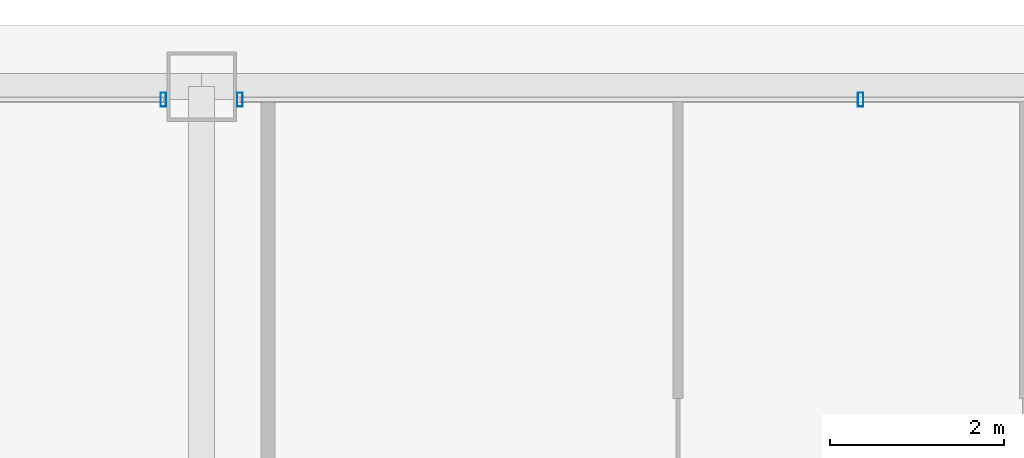
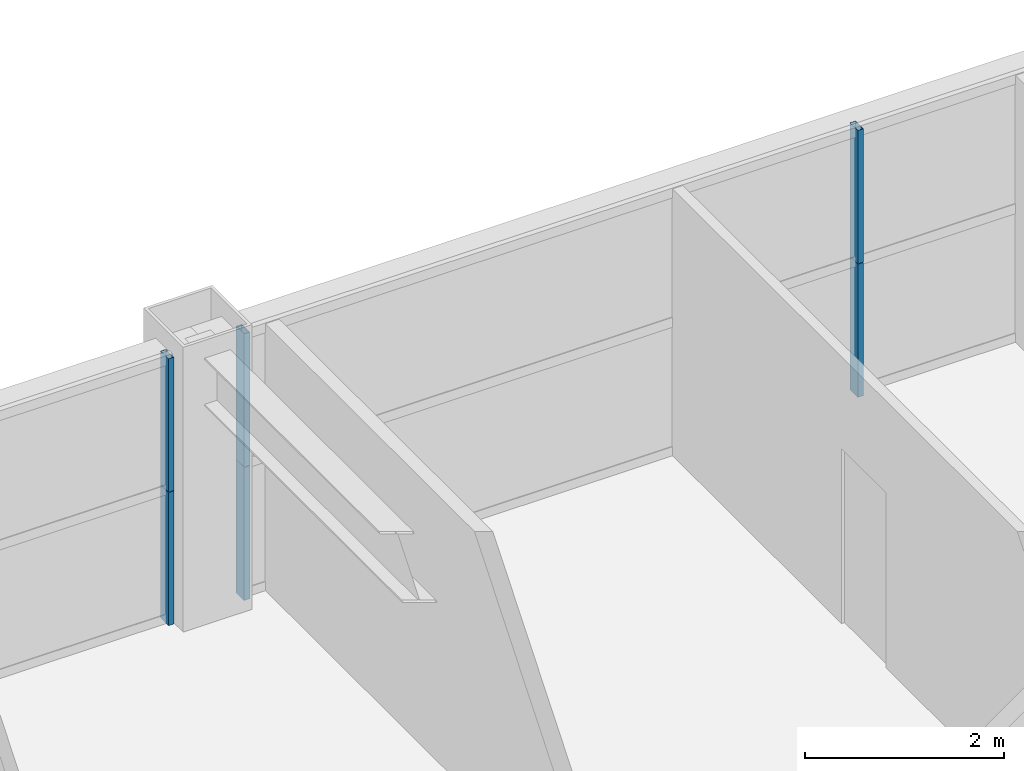
# One storey, part 35 of 45: 6 members, 2 elements without a shape of their own.
"""IFC4 building model written with IfcOpenShell, lengths in metres."""

from ifc_helpers import new_model, si_unit, direction, frame, origin, origin_2d, place, context, subcontext, project, spatial, hollow_rectangle, extrude, source, transform, mapped, material, layer, layer_set, material_profile, profile_set, type_object, element, aggregate, save


model = new_model("IFC4")

# Units and contexts
model_context = context("Model", 3, precision=1e-05, world=origin(), true_north=direction((0.0, 1.0)))
body_context = subcontext(model_context, "Body", "Model", "MODEL_VIEW")
ifc_project = project(units=[si_unit("LENGTHUNIT", "METRE"), si_unit("AREAUNIT", "SQUARE_METRE"), si_unit("VOLUMEUNIT", "CUBIC_METRE"), si_unit("PLANEANGLEUNIT", "RADIAN"), si_unit("MASSUNIT", "GRAM", prefix="KILO"), si_unit("THERMODYNAMICTEMPERATUREUNIT", "KELVIN"), si_unit("POWERUNIT", "WATT")], contexts=[model_context])

# Site, building, storey
site_placement = place(None, origin())
site = spatial("IfcSite", under=ifc_project, at=site_placement, CompositionType="ELEMENT")
building_placement = place(site_placement, origin())
building = spatial("IfcBuilding", under=site, at=building_placement, Name="Yuzanri Waterfront Tower", CompositionType="ELEMENT")
storey_placement = place(building_placement, frame((0.0, 0.0, 191.5)))
storey = spatial("IfcBuildingStorey", under=building, at=storey_placement, Name="L50", CompositionType="ELEMENT", Elevation=191.5)

# Curtain wall, members
ifc_material_1 = material(Name="Anodized Architectural Bronze", Category="metal")
ifc_layer = layer(ifc_material_1, 0.159912109375)
ifc_layer_set = layer_set([ifc_layer], Name="Anodized Architectural Bronze")
curtain_wall_type = type_object("IfcCurtainWallType", Name="Anodized Bronze Mid-Rise Residential Acoustic Unitized Curtain Wall 7200", PredefinedType="NOTDEFINED", material=ifc_layer_set)
curtain_wall_1_placement = place(storey_placement, origin())
curtain_wall_1 = element("IfcCurtainWall", 1, at=curtain_wall_1_placement, inside=storey, type_object=curtain_wall_type, Name="L50 Curtain Wall CW-L50-NL", PredefinedType="NOTDEFINED")
ifc_material_2 = material(Name="Anodized Architectural Bronze", Category="metal")
ifc_material_profile = material_profile(ifc_material_2, hollow_rectangle(XDim=0.06494140625, YDim=0.159912109375, WallThickness=0.00341796875, at=origin_2d()), Name="CWM 65x160")
ifc_profile_set = profile_set([ifc_material_profile], Name="Anodized Architectural Bronze")
member_type = type_object("IfcMemberType", Name="Anodized Bronze Upper-Zone Curtain-Wall Mullion 65x160", PredefinedType="MULLION", material=ifc_profile_set)
shared_shape = source(origin(), body_context, "Body", "SweptSolid", [
    extrude(hollow_rectangle(XDim=0.06494140625, YDim=0.159912109375, WallThickness=0.00341796875, at=origin_2d()), origin(), (0.0, 0.0, 1.0), 1.637939453125),
])
member_1_placement = place(storey_placement, frame((36.56005859375, 47.75, 0.0), z_axis=(0.0, 0.0, 1.0), x_axis=(1.0, 0.0, 0.0)))
member_1 = element("IfcMember", 2, at=member_1_placement, type_object=member_type, Name="CW-L50-NL Lower Mullion 02", PredefinedType="MULLION", context=body_context, shape_type="MappedRepresentation", body=[
    mapped(shared_shape, transform((0.0, 0.0, 0.0), scale=1.0)),
])
member_2_placement = place(storey_placement, frame((36.56005859375, 47.75, 1.64208984375), z_axis=(0.0, 0.0, 1.0), x_axis=(1.0, 0.0, 0.0)))
member_2 = element("IfcMember", 3, at=member_2_placement, type_object=member_type, Name="CW-L50-NL Upper Mullion 02", PredefinedType="MULLION", context=body_context, shape_type="MappedRepresentation", body=[
    mapped(shared_shape, transform((0.0, 0.0, 0.0), scale=1.0)),
])
aggregate(curtain_wall_1, [member_1, member_2])

curtain_wall_2_placement = place(storey_placement, origin())
curtain_wall_2 = element("IfcCurtainWall", 4, at=curtain_wall_2_placement, inside=storey, type_object=curtain_wall_type, Name="L50 Curtain Wall CW-L50-NR", PredefinedType="NOTDEFINED")
member_3_placement = place(storey_placement, frame((37.43994140625, 47.75, 0.0), z_axis=(0.0, 0.0, 1.0), x_axis=(1.0, 0.0, 0.0)))
member_3 = element("IfcMember", 5, at=member_3_placement, type_object=member_type, Name="CW-L50-NR Lower Mullion 00", PredefinedType="MULLION", context=body_context, shape_type="MappedRepresentation", body=[
    mapped(shared_shape, transform((0.0, 0.0, 0.0), scale=1.0)),
])
member_4_placement = place(storey_placement, frame((37.43994140625, 47.75, 1.64208984375), z_axis=(0.0, 0.0, 1.0), x_axis=(1.0, 0.0, 0.0)))
member_4 = element("IfcMember", 6, at=member_4_placement, type_object=member_type, Name="CW-L50-NR Upper Mullion 00", PredefinedType="MULLION", context=body_context, shape_type="MappedRepresentation", body=[
    mapped(shared_shape, transform((0.0, 0.0, 0.0), scale=1.0)),
])
member_5_placement = place(storey_placement, frame((44.574951171875, 47.75, 0.0), z_axis=(0.0, 0.0, 1.0), x_axis=(1.0, 0.0, 0.0)))
member_5 = element("IfcMember", 7, at=member_5_placement, type_object=member_type, Name="CW-L50-NR Lower Mullion 01", PredefinedType="MULLION", context=body_context, shape_type="MappedRepresentation", body=[
    mapped(shared_shape, transform((0.0, 0.0, 0.0), scale=1.0)),
])
member_6_placement = place(storey_placement, frame((44.574951171875, 47.75, 1.64208984375), z_axis=(0.0, 0.0, 1.0), x_axis=(1.0, 0.0, 0.0)))
member_6 = element("IfcMember", 8, at=member_6_placement, type_object=member_type, Name="CW-L50-NR Upper Mullion 01", PredefinedType="MULLION", context=body_context, shape_type="MappedRepresentation", body=[
    mapped(shared_shape, transform((0.0, 0.0, 0.0), scale=1.0)),
])
aggregate(curtain_wall_2, [member_3, member_4, member_5, member_6])

save(model, "model.ifc")
